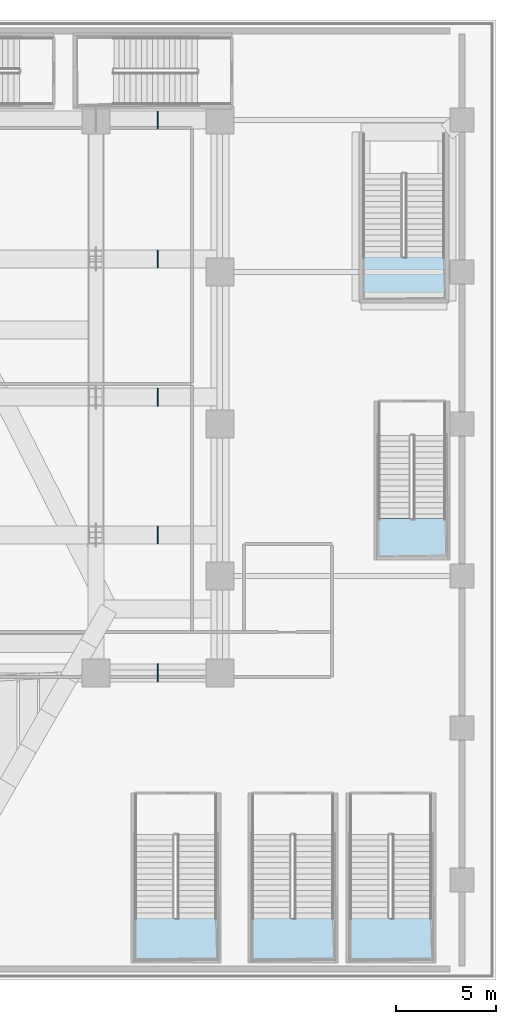
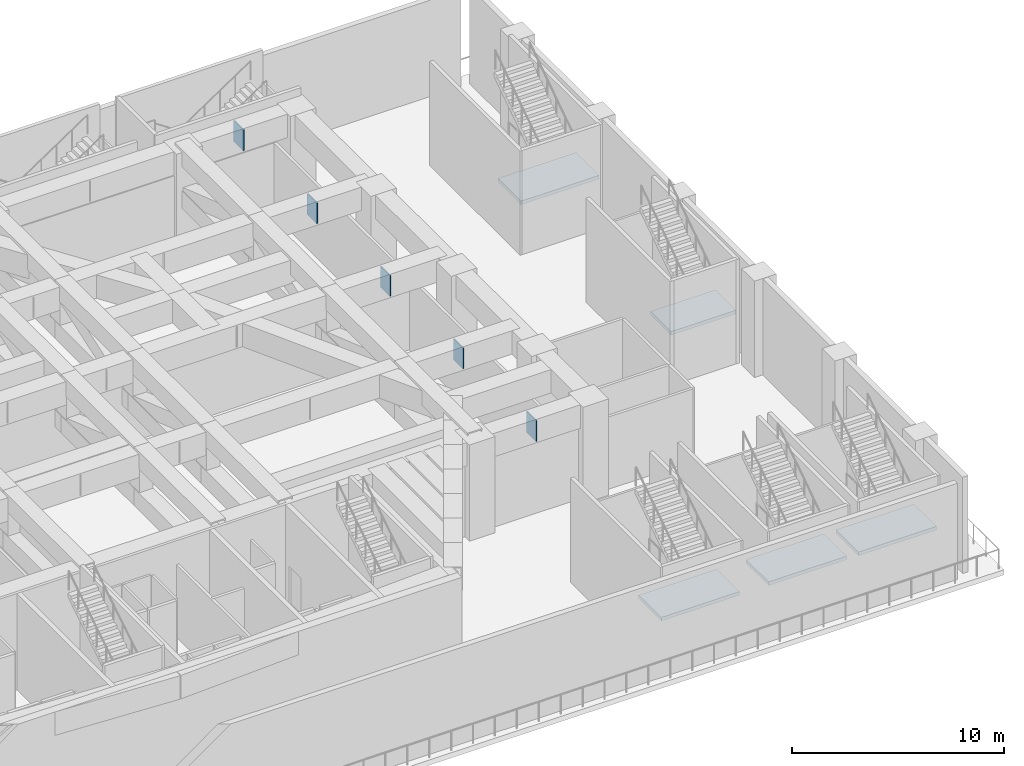
# One storey, part 8 of 27: 5 plates, 5 slabs, 5 elements without a shape of their own.
"""IFC4 building model written with IfcOpenShell, lengths in metres."""

from ifc_helpers import new_model, si_unit, direction, frame, origin, origin_2d, place, context, subcontext, project, spatial, polyline, rectangle, outline, extrude, material, layer, layer_set, type_object, element, aggregate, save


model = new_model("IFC4")

# Units and contexts
model_context = context("Model", 3, precision=1e-05, world=origin(), true_north=direction((0.0, 1.0)))
body_context = subcontext(model_context, "Body", "Model", "MODEL_VIEW")
ifc_project = project(units=[si_unit("LENGTHUNIT", "METRE"), si_unit("AREAUNIT", "SQUARE_METRE"), si_unit("VOLUMEUNIT", "CUBIC_METRE"), si_unit("PLANEANGLEUNIT", "RADIAN"), si_unit("MASSUNIT", "GRAM", prefix="KILO")], contexts=[model_context])

# Site, building, storey
site_placement = place(None, origin())
site = spatial("IfcSite", under=ifc_project, at=site_placement, CompositionType="ELEMENT")
building_placement = place(site_placement, origin())
building = spatial("IfcBuilding", under=site, at=building_placement, Name="Ndaravel Arena Tower", CompositionType="ELEMENT")
storey_placement = place(building_placement, frame((0.0, 0.0, 24.0)))
storey = spatial("IfcBuildingStorey", under=building, at=storey_placement, Name="L04", CompositionType="ELEMENT", Elevation=24.0)

# Plates
ifc_material_1 = material(Name="Steel S460", Category="steel")
ifc_layer_1 = layer(ifc_material_1, 0.06005859375)
ifc_layer_set_1 = layer_set([ifc_layer_1], Name="Steel S460")
plate_type = type_object("IfcPlateType", Name="PLT-CAP-STF1", PredefinedType="USERDEFINED", material=ifc_layer_set_1)
for number, where, z_axis, x_axis, name in (
    (1, (67.10009765625, 15.35009765625, 4.27978515625), (0.0, 0.0, 1.0), (1.0, 0.0, 0.0), "Box Stiffener Plate CP-1.8"),
    (2, (67.10009765625, 22.25, 4.27978515625), (0.0, 0.0, 1.0), (1.0, 0.0, 0.0), "Box Stiffener Plate CP-2.8"),
    (3, (67.10009765625, 29.14990234375, 4.27978515625), (0.0, 0.0, 1.0), (1.0, 0.0, 0.0), "Box Stiffener Plate CP-3.8"),
    (4, (67.10009765625, 36.050048828125, 4.27978515625), (0.0, 0.0, 1.0), (1.0, 0.0, 0.0), "Box Stiffener Plate CP-4.8"),
    (5, (67.10009765625, 43.0, 4.27978515625), (0.0, 0.0, 1.0), (1.0, 0.0, 0.0), "Box Stiffener Plate CP-5.8"),
):
    element("IfcPlate", number, at=place(storey_placement, frame(where, z_axis=z_axis, x_axis=x_axis)), inside=storey, type_object=plate_type, Name=name, ObjectType="STIFFENER_PLATE", PredefinedType="USERDEFINED", context=body_context, shape_type="SweptSolid", body=[
        extrude(rectangle(XDim=0.06005859375, YDim=0.89990234375, at=origin_2d()), origin(), (0.0, 0.0, 1.0), 1.199951171875),
    ])

# Stair, slab
ifc_material_2 = material(Name="Concrete C40/50", Category="concrete")
stair_type_1 = type_object("IfcStairType", Name="STAIR-ARENA-HT", PredefinedType="HALF_TURN_STAIR", material=ifc_material_2)
stair_1_placement = place(storey_placement, origin())
stair_1 = element("IfcStair", 6, at=stair_1_placement, inside=storey, type_object=stair_type_1, Name="L04 ST-A04", PredefinedType="HALF_TURN_STAIR")
ifc_material_3 = material(Name="Concrete C40/50", Category="concrete")
ifc_layer_2 = layer(ifc_material_3, 0.199951171875)
ifc_layer_set_2 = layer_set([ifc_layer_2], Name="Concrete C40/50")
slab_type = type_object("IfcSlabType", Name="SLAB-STAIR-LANDING", PredefinedType="LANDING", material=ifc_layer_set_2)
slab_1_placement = place(storey_placement, frame((0.0, 0.0, 2.800048828125)))
slab_1 = element("IfcSlab", 7, at=slab_1_placement, type_object=slab_type, Name="ST-A04 landing 1", PredefinedType="LANDING", context=body_context, shape_type="SweptSolid", body=[
    extrude(outline(polyline([(65.8701171875, 3.10498046875), (65.8701171875, 0.969970703125), (70.1298828125, 0.969970703125), (70.1298828125, 3.10498046875), (65.8701171875, 3.10498046875)])), origin(), (0.0, 0.0, 1.0), 0.199951171875),
])
aggregate(stair_1, [slab_1])

stair_2_placement = place(storey_placement, origin())
stair_2 = element("IfcStair", 8, at=stair_2_placement, inside=storey, type_object=stair_type_1, Name="L04 ST-A05", PredefinedType="HALF_TURN_STAIR")
slab_2_placement = place(storey_placement, frame((0.0, 0.0, 2.800048828125)))
slab_2 = element("IfcSlab", 9, at=slab_2_placement, type_object=slab_type, Name="ST-A05 landing 1", PredefinedType="LANDING", context=body_context, shape_type="SweptSolid", body=[
    extrude(outline(polyline([(71.719970703125, 3.10498046875), (71.719970703125, 0.969970703125), (75.97998046875, 0.969970703125), (75.97998046875, 3.10498046875), (71.719970703125, 3.10498046875)])), origin(), (0.0, 0.0, 1.0), 0.199951171875),
])
aggregate(stair_2, [slab_2])

stair_3_placement = place(storey_placement, origin())
stair_3 = element("IfcStair", 10, at=stair_3_placement, inside=storey, type_object=stair_type_1, Name="L04 ST-A06", PredefinedType="HALF_TURN_STAIR")
slab_3_placement = place(storey_placement, frame((0.0, 0.0, 2.800048828125)))
slab_3 = element("IfcSlab", 11, at=slab_3_placement, type_object=slab_type, Name="ST-A06 landing 1", PredefinedType="LANDING", context=body_context, shape_type="SweptSolid", body=[
    extrude(outline(polyline([(76.6201171875, 3.10498046875), (76.6201171875, 0.969970703125), (80.8798828125, 0.969970703125), (80.8798828125, 3.10498046875), (76.6201171875, 3.10498046875)])), origin(), (0.0, 0.0, 1.0), 0.199951171875),
])
aggregate(stair_3, [slab_3])

ifc_material_4 = material(Name="Concrete C40/50", Category="concrete")
stair_type_2 = type_object("IfcStairType", Name="STAIR-POD-QT", PredefinedType="QUARTER_TURN_STAIR", material=ifc_material_4)
stair_4_placement = place(storey_placement, origin())
stair_4 = element("IfcStair", 12, at=stair_4_placement, inside=storey, type_object=stair_type_2, Name="L04 ST-A12", PredefinedType="QUARTER_TURN_STAIR")
slab_4_placement = place(storey_placement, frame((0.0, 0.0, 2.800048828125)))
slab_4 = element("IfcSlab", 13, at=slab_4_placement, type_object=slab_type, Name="ST-A12 landing 1", PredefinedType="LANDING", context=body_context, shape_type="SweptSolid", body=[
    extrude(outline(polyline([(78.0400390625, 23.06494140625), (78.0400390625, 21.1201171875), (81.580078125, 21.1201171875), (81.580078125, 23.06494140625), (78.0400390625, 23.06494140625)])), origin(), (0.0, 0.0, 1.0), 0.199951171875),
])
aggregate(stair_4, [slab_4])

ifc_material_5 = material(Name="Concrete C40/50", Category="concrete")
stair_type_3 = type_object("IfcStairType", Name="STAIR-FEAT-TSR", PredefinedType="TWO_STRAIGHT_RUN_STAIR", material=ifc_material_5)
stair_5_placement = place(storey_placement, origin())
stair_5 = element("IfcStair", 14, at=stair_5_placement, inside=storey, type_object=stair_type_3, Name="L04 ST-GDN-2", PredefinedType="TWO_STRAIGHT_RUN_STAIR")
slab_5_placement = place(storey_placement, frame((0.0, 0.0, 2.800048828125)))
slab_5 = element("IfcSlab", 15, at=slab_5_placement, type_object=slab_type, Name="ST-GDN-2 landing 1", PredefinedType="LANDING", context=body_context, shape_type="SweptSolid", body=[
    extrude(outline(polyline([(77.27001953125, 36.155029296875), (77.27001953125, 33.969970703125), (81.530029296875, 33.969970703125), (81.530029296875, 36.155029296875), (77.27001953125, 36.155029296875)])), origin(), (0.0, 0.0, 1.0), 0.199951171875),
])
aggregate(stair_5, [slab_5])

save(model, "model.ifc")
